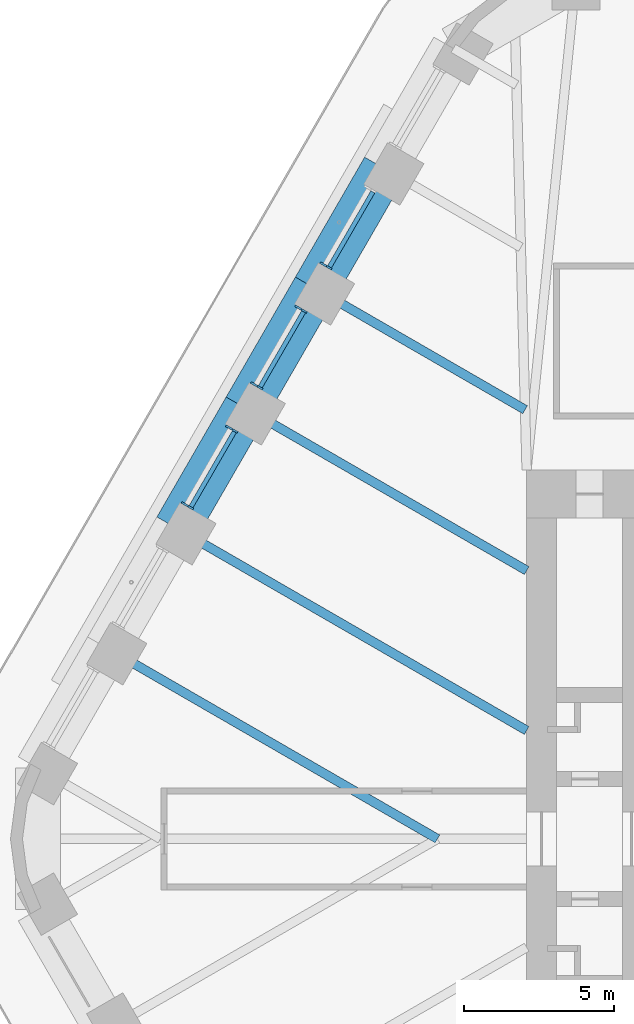
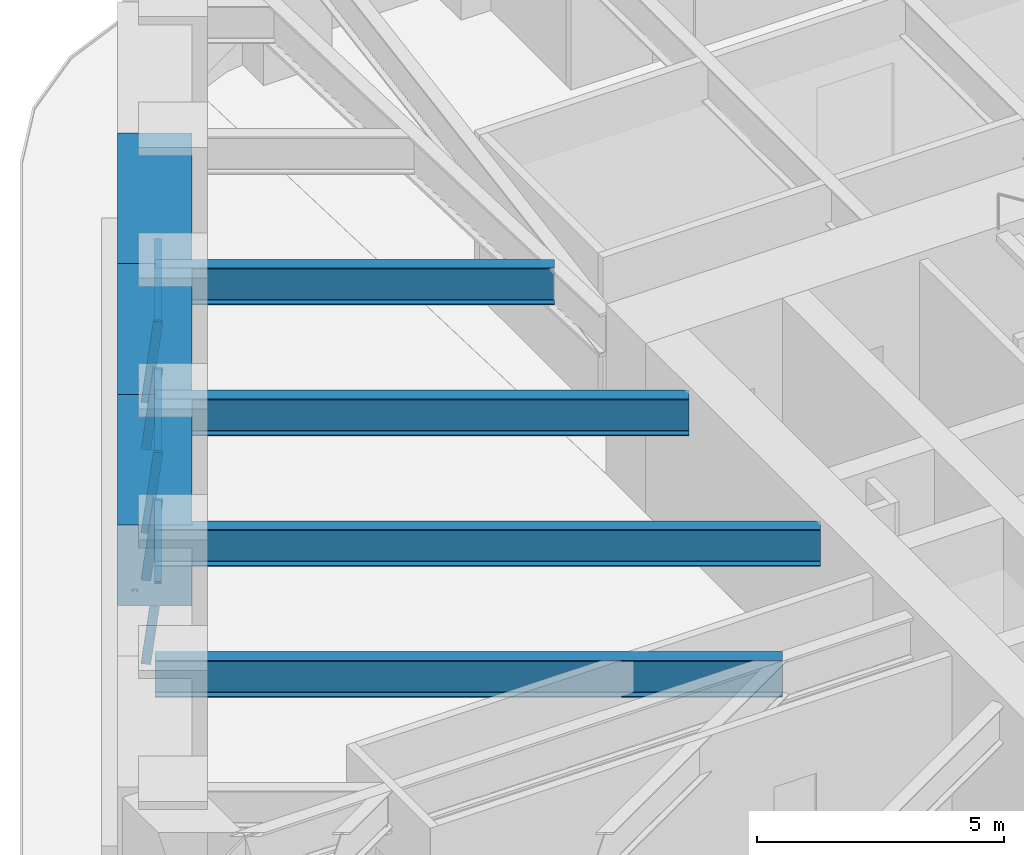
# One storey, part 7 of 20: 8 members, 7 beams, 3 elements without a shape of their own.
"""IFC4 building model written with IfcOpenShell, lengths in metres."""

from ifc_helpers import new_model, si_unit, direction, frame, origin, origin_2d, place, context, subcontext, project, spatial, rectangle, i_section, extrude, material, material_profile, profile_set, type_object, element, aggregate, save


model = new_model("IFC4")

# Units and contexts
model_context = context("Model", 3, precision=1e-05, world=origin(), true_north=direction((0.0, 1.0)))
body_context = subcontext(model_context, "Body", "Model", "MODEL_VIEW")
ifc_project = project(units=[si_unit("LENGTHUNIT", "METRE"), si_unit("AREAUNIT", "SQUARE_METRE"), si_unit("VOLUMEUNIT", "CUBIC_METRE"), si_unit("PLANEANGLEUNIT", "RADIAN"), si_unit("MASSUNIT", "GRAM", prefix="KILO")], contexts=[model_context])

# Site, building, storey
site_placement = place(None, origin())
site = spatial("IfcSite", under=ifc_project, at=site_placement, CompositionType="ELEMENT")
building_placement = place(site_placement, origin())
building = spatial("IfcBuilding", under=site, at=building_placement, Name="Tarfa Lantern Tower", CompositionType="ELEMENT")
storey_placement = place(building_placement, frame((0.0, 0.0, 219.699951171875)))
storey = spatial("IfcBuildingStorey", under=building, at=storey_placement, Name="L49", CompositionType="ELEMENT", Elevation=219.699951171875)

# Curtain wall, member
ifc_material_1 = material(Name="Aluminium framed curtain wall", Category="aluminium")
curtain_wall_type = type_object("IfcCurtainWallType", Name="CW3 CANTED GLAZING HIGH ZONE 2000", PredefinedType="USERDEFINED", material=ifc_material_1)
curtain_wall_1_placement = place(storey_placement, origin())
curtain_wall_1 = element("IfcCurtainWall", 1, at=curtain_wall_1_placement, inside=storey, type_object=curtain_wall_type, Name="CW3 NW L49", ObjectType="CURTAIN WALL", PredefinedType="USERDEFINED")
ifc_material_2 = material(Name="Aluminium mullion", Category="aluminium")
ifc_material_profile_1 = material_profile(ifc_material_2, rectangle(XDim=0.06494140625, YDim=0.199951171875, at=origin_2d()), Name="AL MULLION 65x200")
ifc_profile_set_1 = profile_set([ifc_material_profile_1], Name="Aluminium mullion")
member_type_1 = type_object("IfcMemberType", Name="CWM1 MULLION 65x200", PredefinedType="MULLION", material=ifc_profile_set_1)
member_1_placement = place(storey_placement, frame((-22.302490234375, 19.1708984375, 0.0), z_axis=(0.107439978116, -0.062017213975, 0.992275423596), x_axis=(0.499919672301, 0.866071776036, 0.0)))
member_1 = element("IfcMember", 2, at=member_1_placement, type_object=member_type_1, Name="CW3 mullion 2", PredefinedType="MULLION", context=body_context, shape_type="SweptSolid", body=[
    extrude(rectangle(XDim=0.06494140625, YDim=0.199951171875, at=origin_2d()), origin(), (0.0, 0.0, 1.0), 2.015625),
])

# Curtain wall, members
curtain_wall_2_placement = place(storey_placement, origin())
curtain_wall_2 = element("IfcCurtainWall", 3, at=curtain_wall_2_placement, inside=storey, type_object=curtain_wall_type, Name="CW3 NW L49", ObjectType="CURTAIN WALL", PredefinedType="USERDEFINED")
member_2_placement = place(storey_placement, frame((-23.135009765625, 17.72900390625, 0.0), z_axis=(0.107439978116, -0.062017213975, 0.992275423596), x_axis=(0.499919672301, 0.866071776036, 0.0)))
member_2 = element("IfcMember", 4, at=member_2_placement, type_object=member_type_1, Name="CW3 mullion 1", PredefinedType="MULLION", context=body_context, shape_type="SweptSolid", body=[
    extrude(rectangle(XDim=0.06494140625, YDim=0.199951171875, at=origin_2d()), origin(), (0.0, 0.0, 1.0), 2.015625),
])
member_3_placement = place(storey_placement, frame((-24.61181640625, 15.1708984375, 0.0), z_axis=(0.107439978116, -0.062017213975, 0.992275423596), x_axis=(0.499919672301, 0.866071776036, 0.0)))
member_3 = element("IfcMember", 5, at=member_3_placement, type_object=member_type_1, Name="CW3 mullion 2", PredefinedType="MULLION", context=body_context, shape_type="SweptSolid", body=[
    extrude(rectangle(XDim=0.06494140625, YDim=0.199951171875, at=origin_2d()), origin(), (0.0, 0.0, 1.0), 2.015625),
])

curtain_wall_3_placement = place(storey_placement, origin())
curtain_wall_3 = element("IfcCurtainWall", 6, at=curtain_wall_3_placement, inside=storey, type_object=curtain_wall_type, Name="CW3 NW L49", ObjectType="CURTAIN WALL", PredefinedType="USERDEFINED")
member_4_placement = place(storey_placement, frame((-25.4443359375, 13.72900390625, 0.0), z_axis=(0.107439978116, -0.062017213975, 0.992275423596), x_axis=(0.499919672301, 0.866071776036, 0.0)))
member_4 = element("IfcMember", 7, at=member_4_placement, type_object=member_type_1, Name="CW3 mullion 1", PredefinedType="MULLION", context=body_context, shape_type="SweptSolid", body=[
    extrude(rectangle(XDim=0.06494140625, YDim=0.199951171875, at=origin_2d()), origin(), (0.0, 0.0, 1.0), 2.015625),
])
member_5_placement = place(storey_placement, frame((-26.92138671875, 11.1708984375, 0.0), z_axis=(0.107439978116, -0.062017213975, 0.992275423596), x_axis=(0.499919672301, 0.866071776036, 0.0)))
member_5 = element("IfcMember", 8, at=member_5_placement, type_object=member_type_1, Name="CW3 mullion 2", PredefinedType="MULLION", context=body_context, shape_type="SweptSolid", body=[
    extrude(rectangle(XDim=0.06494140625, YDim=0.199951171875, at=origin_2d()), origin(), (0.0, 0.0, 1.0), 2.015625),
])

# Member
ifc_material_3 = material(Name="Aluminium transom", Category="aluminium")
ifc_material_profile_2 = material_profile(ifc_material_3, rectangle(XDim=0.14990234375, YDim=0.06494140625, at=origin_2d()), Name="AL TRANSOM 150x65")
ifc_profile_set_2 = profile_set([ifc_material_profile_2], Name="Aluminium transom")
member_type_2 = type_object("IfcMemberType", Name="CWT1 TRANSOM 150x65", PredefinedType="USERDEFINED", material=ifc_profile_set_2)
member_6_placement = place(storey_placement, frame((-20.62890625, 21.577880859375, 1.967529296875), z_axis=(-0.499993141028, -0.866029363778, 0.0), x_axis=(0.866029363778, -0.499993141028, 0.0)))
member_6 = element("IfcMember", 9, at=member_6_placement, type_object=member_type_2, Name="CW3 transom 1.2", ObjectType="TRANSOM", PredefinedType="USERDEFINED", context=body_context, shape_type="SweptSolid", body=[
    extrude(rectangle(XDim=0.14990234375, YDim=0.06494140625, at=origin_2d()), origin(), (0.0, 0.0, 1.0), 2.888671875),
])

aggregate(curtain_wall_1, [member_1, member_6])

member_7_placement = place(storey_placement, frame((-22.938232421875, 17.577880859375, 1.967529296875), z_axis=(-0.499993141028, -0.866029363778, 0.0), x_axis=(0.866029363778, -0.499993141028, 0.0)))
member_7 = element("IfcMember", 10, at=member_7_placement, type_object=member_type_2, Name="CW3 transom 1.2", ObjectType="TRANSOM", PredefinedType="USERDEFINED", context=body_context, shape_type="SweptSolid", body=[
    extrude(rectangle(XDim=0.14990234375, YDim=0.06494140625, at=origin_2d()), origin(), (0.0, 0.0, 1.0), 2.888671875),
])

aggregate(curtain_wall_2, [member_2, member_3, member_7])

member_8_placement = place(storey_placement, frame((-25.24755859375, 13.577880859375, 1.967529296875), z_axis=(-0.500056524144, -0.865992767095, 0.0), x_axis=(0.865992767095, -0.500056524144, 0.0)))
member_8 = element("IfcMember", 11, at=member_8_placement, type_object=member_type_2, Name="CW3 transom 1.2", ObjectType="TRANSOM", PredefinedType="USERDEFINED", context=body_context, shape_type="SweptSolid", body=[
    extrude(rectangle(XDim=0.14990234375, YDim=0.06494140625, at=origin_2d()), origin(), (0.0, 0.0, 1.0), 2.888916015625),
])

aggregate(curtain_wall_3, [member_4, member_5, member_8])

# Beams
ifc_material_4 = material(Name="Concrete C80/95", Category="concrete")
ifc_material_profile_3 = material_profile(ifc_material_4, rectangle(XDim=1.5, YDim=2.0, at=origin_2d()), Name="RC 1500x2000")
ifc_profile_set_3 = profile_set([ifc_material_profile_3], Name="Concrete C80/95")
beam_type_1 = type_object("IfcBeamType", Name="RB3 RC 1500x2000", PredefinedType="BEAM", material=ifc_profile_set_3)
beam_1_placement = place(storey_placement, frame((-20.25341796875, 22.360107421875, 3.0), z_axis=(-0.499987836815, -0.866032426089, 0.0), x_axis=(0.866032426089, -0.499987836815, 0.0)))
element("IfcBeam", 12, at=beam_1_placement, inside=storey, type_object=beam_type_1, Name="Edge beam NW1", PredefinedType="BEAM", context=body_context, shape_type="SweptSolid", body=[
    extrude(rectangle(XDim=1.5, YDim=2.0, at=origin_2d()), origin(), (0.0, 0.0, 1.0), 4.61865234375),
])
beam_2_placement = place(storey_placement, frame((-22.562744140625, 18.360107421875, 3.0), z_axis=(-0.500027479704, -0.866009537788, 0.0), x_axis=(0.866009537788, -0.500027479704, 0.0)))
element("IfcBeam", 13, at=beam_2_placement, inside=storey, type_object=beam_type_1, Name="Edge beam NW2", PredefinedType="BEAM", context=body_context, shape_type="SweptSolid", body=[
    extrude(rectangle(XDim=1.5, YDim=2.0, at=origin_2d()), origin(), (0.0, 0.0, 1.0), 4.618896484375),
])
beam_3_placement = place(storey_placement, frame((-24.872314453125, 14.360107421875, 3.0), z_axis=(-0.499987836815, -0.866032426089, 0.0), x_axis=(0.866032426089, -0.499987836815, 0.0)))
element("IfcBeam", 14, at=beam_3_placement, inside=storey, type_object=beam_type_1, Name="Edge beam NW3", PredefinedType="BEAM", context=body_context, shape_type="SweptSolid", body=[
    extrude(rectangle(XDim=1.5, YDim=2.0, at=origin_2d()), origin(), (0.0, 0.0, 1.0), 4.61865234375),
])
ifc_material_5 = material(Name="Steel S460M", Category="steel")
ifc_material_profile_4 = material_profile(ifc_material_5, i_section(OverallWidth=0.305419921875, OverallDepth=0.91845703125, WebThickness=0.017333984375, FlangeThickness=0.02783203125, FilletRadius=0.01904296875, at=origin_2d()), Name="UB914x305x253")
ifc_profile_set_4 = profile_set([ifc_material_profile_4], Name="Steel S460M")
beam_type_2 = type_object("IfcBeamType", Name="UB914x305x253", PredefinedType="BEAM", material=ifc_profile_set_4)
beam_4_placement = place(storey_placement, frame((-22.562744140625, 18.360107421875, 3.540771484375), z_axis=(0.866010787764, -0.500025314835, 0.0), x_axis=(0.500025314835, 0.866010787764, 0.0)))
element("IfcBeam", 15, at=beam_4_placement, inside=storey, type_object=beam_type_2, Name="Floor beam NW2", PredefinedType="BEAM", context=body_context, shape_type="SweptSolid", body=[
    extrude(i_section(OverallWidth=0.305419921875, OverallDepth=0.91845703125, WebThickness=0.017333984375, FlangeThickness=0.02783203125, FilletRadius=0.01904296875, at=origin_2d()), origin(), (0.0, 0.0, 1.0), 8.09423828125),
])
beam_5_placement = place(storey_placement, frame((-24.872314453125, 14.360107421875, 3.540771484375), z_axis=(0.8660244219, -0.500001700669, 0.0), x_axis=(0.500001700669, 0.8660244219, 0.0)))
element("IfcBeam", 16, at=beam_5_placement, inside=storey, type_object=beam_type_2, Name="Floor beam NW3", PredefinedType="BEAM", context=body_context, shape_type="SweptSolid", body=[
    extrude(i_section(OverallWidth=0.305419921875, OverallDepth=0.91845703125, WebThickness=0.017333984375, FlangeThickness=0.02783203125, FilletRadius=0.01904296875, at=origin_2d()), origin(), (0.0, 0.0, 1.0), 10.822265625),
])
beam_6_placement = place(storey_placement, frame((-27.181640625, 10.360107421875, 3.540771484375), z_axis=(0.866018002818, -0.500012818631, 0.0), x_axis=(0.500012818631, 0.866018002818, 0.0)))
element("IfcBeam", 17, at=beam_6_placement, inside=storey, type_object=beam_type_2, Name="Floor beam NW4", PredefinedType="BEAM", context=body_context, shape_type="SweptSolid", body=[
    extrude(i_section(OverallWidth=0.305419921875, OverallDepth=0.91845703125, WebThickness=0.017333984375, FlangeThickness=0.02783203125, FilletRadius=0.01904296875, at=origin_2d()), origin(), (0.0, 0.0, 1.0), 13.489013671875),
])
beam_7_placement = place(storey_placement, frame((-29.490966796875, 6.360107421875, 3.540771484375), z_axis=(0.866022258038, -0.500005448553, 0.0), x_axis=(0.500005448553, 0.866022258038, 0.0)))
element("IfcBeam", 18, at=beam_7_placement, inside=storey, type_object=beam_type_2, Name="Floor beam NW5", PredefinedType="BEAM", context=body_context, shape_type="SweptSolid", body=[
    extrude(i_section(OverallWidth=0.305419921875, OverallDepth=0.91845703125, WebThickness=0.017333984375, FlangeThickness=0.02783203125, FilletRadius=0.01904296875, at=origin_2d()), origin(), (0.0, 0.0, 1.0), 12.719970703125),
])

save(model, "model.ifc")
